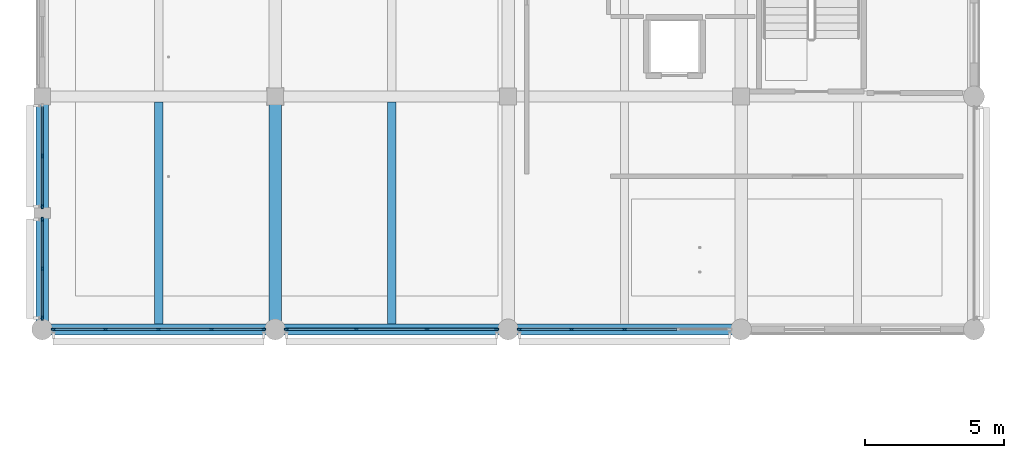
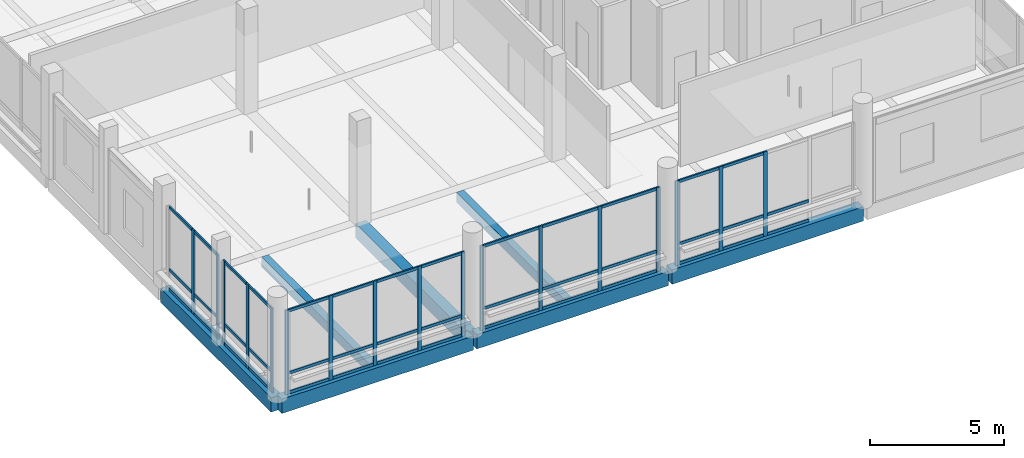
# One storey, part 2 of 122: 58 members, 7 beams, 5 elements without a shape of their own.
"""IFC4 building model written with IfcOpenShell, lengths in metres."""

import ifcopenshell
import ifcopenshell.guid

model = None  # the IFC model being written
_history = None  # IfcOwnerHistory: only IFC2X3 demands one
_inside = {}  # id of a spatial element -> (the spatial element, [elements in it])
_under = {}  # id of a project, library or spatial element -> (it, [spatial elements below it])
_declared = {}  # id of a project -> (the project, [libraries it declares])
_typed = {}  # id of a type object -> (the type object, [elements of that type])
_made_of = {}  # id of a material, layer set ... -> (it, [elements and type objects made of it])


def new_model(schema):
    """Start an empty IFC model of exactly this schema.

    Asked for "IFC4X3", IfcOpenShell would pick the latest addendum, in which some entities
    have other attributes; the version numbers below select the first issue.
    IFC2X3 requires an IfcOwnerHistory on every rooted entity: one is made here for all.
    """
    global model, _history
    if schema == "IFC4X3":
        model = ifcopenshell.file(schema_version=(4, 3, 0, 0))
    else:
        model = ifcopenshell.file(schema=schema)
    _inside.clear()
    _under.clear()
    _declared.clear()
    _typed.clear()
    _made_of.clear()
    _history = None
    if model.schema == "IFC2X3":
        org = make("IfcOrganization", Name="unknown")
        user = make(
            "IfcPersonAndOrganization",
            ThePerson=make("IfcPerson", FamilyName="unknown"),
            TheOrganization=org,
        )
        app = make(
            "IfcApplication",
            ApplicationDeveloper=org,
            Version="unknown",
            ApplicationFullName="unknown",
            ApplicationIdentifier="unknown",
        )
        _history = make(
            "IfcOwnerHistory",
            OwningUser=user,
            OwningApplication=app,
            ChangeAction="ADDED",
            CreationDate=0,
        )
    return model


def make(cls, **values):
    """One entity of the class cls with the attributes given. An attribute that is None is left unset."""
    return model.create_entity(
        cls, **{name: value for name, value in values.items() if value is not None}
    )


def rooted(cls, **values):
    """An entity with a GlobalId (a new one), such as an element, a storey or a relation."""
    return make(cls, GlobalId=ifcopenshell.guid.new(), OwnerHistory=_history, **values)


def si_unit(unit_type, name, prefix=None):
    """IfcSIUnit, for example si_unit("LENGTHUNIT", "METRE", prefix="MILLI")."""
    return make("IfcSIUnit", UnitType=unit_type, Prefix=prefix, Name=name)


def assignment(units):
    """IfcUnitAssignment: the units of a project."""
    return None if units is None else make("IfcUnitAssignment", Units=units)


def point(xyz):
    """IfcCartesianPoint."""
    return None if xyz is None else make("IfcCartesianPoint", Coordinates=xyz)


def direction(xyz):
    """IfcDirection."""
    return None if xyz is None else make("IfcDirection", DirectionRatios=xyz)


def frame(location, z_axis=None, x_axis=None):
    """IfcAxis2Placement3D, a coordinate frame: its origin and axes. An axis left out is left unset."""
    return make(
        "IfcAxis2Placement3D",
        Location=point(location),
        Axis=direction(z_axis),
        RefDirection=direction(x_axis),
    )


def frame_2d(location, x_axis=None):
    """IfcAxis2Placement2D, a coordinate frame in the plane: its origin and x axis."""
    return make(
        "IfcAxis2Placement2D", Location=point(location), RefDirection=direction(x_axis)
    )


def origin():
    """The frame at (0, 0, 0) with its axes left unset."""
    return frame((0.0, 0.0, 0.0))


def origin_2d():
    """The frame at (0, 0) in the plane with its x axis left unset."""
    return frame_2d((0.0, 0.0))


def place(relative_to, where):
    """IfcLocalPlacement: puts the frame where relative to a parent placement (None: the world)."""
    return make(
        "IfcLocalPlacement", PlacementRelTo=relative_to, RelativePlacement=where
    )


def context(
    kind, dimensions, precision=None, world=None, true_north=None, identifier=None
):
    """IfcGeometricRepresentationContext, for example the 3D "Model" context."""
    return make(
        "IfcGeometricRepresentationContext",
        ContextIdentifier=identifier,
        ContextType=kind,
        CoordinateSpaceDimension=dimensions,
        Precision=precision,
        WorldCoordinateSystem=world,
        TrueNorth=true_north,
    )


def subcontext(parent, identifier, kind, view, scale=None):
    """IfcGeometricRepresentationSubContext, for example "Body" below "Model"."""
    return make(
        "IfcGeometricRepresentationSubContext",
        ContextIdentifier=identifier,
        ContextType=kind,
        ParentContext=parent,
        TargetScale=scale,
        TargetView=view,
    )


def project(units=None, contexts=None):
    """IfcProject with its units and contexts."""
    return rooted(
        "IfcProject",
        Name="project",
        RepresentationContexts=contexts,
        UnitsInContext=assignment(units),
    )


def spatial(cls, under=None, at=None, **own):
    """A site, building, storey or space (cls), placed at a placement, below another one or the project."""
    s = rooted(cls, ObjectPlacement=at, **own)
    if under is not None:
        _under.setdefault(under.id(), (under, []))[1].append(s)
    return s


def profile(cls, at=None, kind="AREA", **sizes):
    """A parametric profile (cls). Its sizes go by their IFC names, for example OverallWidth=200.0."""
    return make(cls, ProfileType=kind, Position=at, **sizes)


def rectangle(**sizes):
    """IfcRectangleProfileDef."""
    return profile("IfcRectangleProfileDef", **sizes)


def extrude(swept, where, along, depth):
    """IfcExtrudedAreaSolid: the profile swept, set in the frame where, extruded along a direction by depth."""
    return make(
        "IfcExtrudedAreaSolid",
        SweptArea=swept,
        Position=where,
        ExtrudedDirection=direction(along),
        Depth=depth,
    )


def shape(context_of_items, identifier, shape_type, items):
    """IfcShapeRepresentation: the items that make up one representation, for example the "Body"."""
    return make(
        "IfcShapeRepresentation",
        ContextOfItems=context_of_items,
        RepresentationIdentifier=identifier,
        RepresentationType=shape_type,
        Items=items,
    )


def material(Name=None, Category=None):
    """IfcMaterial."""
    return make("IfcMaterial", Name=Name, Category=Category)


def layer(
    of_material, thickness, ventilated=None, Name=None, Category=None, Priority=None
):
    """IfcMaterialLayer: one layer of a wall or slab, of a material (None: an air gap)."""
    return make(
        "IfcMaterialLayer",
        Material=of_material,
        LayerThickness=thickness,
        IsVentilated=ventilated,
        Name=Name,
        Category=Category,
        Priority=Priority,
    )


def layer_set(layers, Name=None):
    """IfcMaterialLayerSet."""
    return make("IfcMaterialLayerSet", MaterialLayers=layers, LayerSetName=Name)


def material_profile(
    of_material, cross_section, Name=None, Category=None, Priority=None
):
    """IfcMaterialProfile: a cross section and its material."""
    return make(
        "IfcMaterialProfile",
        Name=Name,
        Material=of_material,
        Profile=cross_section,
        Priority=Priority,
        Category=Category,
    )


def profile_set(profiles, Name=None, composite=None):
    """IfcMaterialProfileSet."""
    return make(
        "IfcMaterialProfileSet",
        Name=Name,
        MaterialProfiles=profiles,
        CompositeProfile=composite,
    )


def made_of(thing, what):
    """Note that an element or type object is made of a material, layer set ...; save() writes the relation."""
    if what is not None:
        _made_of.setdefault(what.id(), (what, []))[1].append(thing)
    return thing


def type_object(cls, material=None, **own):
    """A type object (cls), such as IfcWallType, which elements share."""
    return made_of(rooted(cls, **own), material)


def element(
    cls,
    number,
    at=None,
    inside=None,
    cuts=None,
    type_object=None,
    material=None,
    context=None,
    identifier="Body",
    shape_type=None,
    held_by="IfcProductDefinitionShape",
    body=None,
    shapes=None,
    **own,
):
    """One element of the class cls, such as IfcWall. Its Tag is "e" and its number.

    at: its placement. inside: the storey or other place that contains it. cuts: it is an
    opening in that element (IfcRelVoidsElement). A single representation is given by context,
    identifier, shape_type and body (its items); several are given by shapes. held_by: the class
    of the entity that holds the representations. save() writes the other relations.
    """
    e = rooted(cls, Tag="e%d" % number, ObjectPlacement=at, **own)
    if body is not None:
        shapes = [shape(context, identifier, shape_type, body)]
    if shapes is not None:
        e.Representation = make(held_by, Representations=shapes)
    if inside is not None:
        _inside.setdefault(inside.id(), (inside, []))[1].append(e)
    if cuts is not None:
        rooted(
            "IfcRelVoidsElement", RelatingBuildingElement=cuts, RelatedOpeningElement=e
        )
    if type_object is not None:
        _typed.setdefault(type_object.id(), (type_object, []))[1].append(e)
    return made_of(e, material)


def aggregate(whole, parts):
    """IfcRelAggregates: a whole, such as a stair, and the parts it consists of."""
    return rooted("IfcRelAggregates", RelatingObject=whole, RelatedObjects=parts)


def save(model, path):
    """Write the relations noted so far, then the file.

    IfcRelAggregates (storeys below a building ...), IfcRelContainedInSpatialStructure (elements
    in a storey), IfcRelDefinesByType, IfcRelAssociatesMaterial and IfcRelDeclares: one each for
    every whole, place, type object, material and project.
    """
    for whole, parts in _under.values():
        aggregate(whole, parts)
    for where, things in _inside.values():
        rooted(
            "IfcRelContainedInSpatialStructure",
            RelatedElements=things,
            RelatingStructure=where,
        )
    for kind, things in _typed.values():
        rooted("IfcRelDefinesByType", RelatedObjects=things, RelatingType=kind)
    for what, things in _made_of.values():
        rooted("IfcRelAssociatesMaterial", RelatedObjects=things, RelatingMaterial=what)
    for by, libraries in _declared.values():
        rooted("IfcRelDeclares", RelatingContext=by, RelatedDefinitions=libraries)
    model.write(path)


model = new_model("IFC4")

# Units and contexts
model_context = context("Model", 3, precision=1e-05, world=origin(), true_north=direction((0.0, 1.0)))
body_context = subcontext(model_context, "Body", "Model", "MODEL_VIEW")
ifc_project = project(units=[si_unit("LENGTHUNIT", "METRE"), si_unit("AREAUNIT", "SQUARE_METRE"), si_unit("VOLUMEUNIT", "CUBIC_METRE"), si_unit("PLANEANGLEUNIT", "RADIAN"), si_unit("MASSUNIT", "GRAM", prefix="KILO")], contexts=[model_context])

# Site, building, storey
site_placement = place(None, origin())
site = spatial("IfcSite", under=ifc_project, at=site_placement, CompositionType="ELEMENT")
building_placement = place(site_placement, origin())
building = spatial("IfcBuilding", under=site, at=building_placement, Name="Telukmera Botanical Conservatory", CompositionType="ELEMENT")
storey_placement = place(building_placement, frame((0.0, 0.0, 10.199951171875)))
storey = spatial("IfcBuildingStorey", under=building, at=storey_placement, Name="L02", CompositionType="ELEMENT", Elevation=10.199951171875)

# Beams
ifc_material_1 = material(Name="Concrete C40/50", Category="concrete")
ifc_material_profile_1 = material_profile(ifc_material_1, rectangle(XDim=0.449951171875, YDim=0.64990234375, at=origin_2d()), Name="RC 450x650")
ifc_profile_set_1 = profile_set([ifc_material_profile_1], Name="Concrete C40/50")
beam_type_1 = type_object("IfcBeamType", Name="Beam_B16", PredefinedType="BEAM", material=ifc_profile_set_1)
for number, where, z_axis, x_axis, name in (
    (1, (8.39990234375, 17.679931640625, -0.324951171875), (0.0, 1.0, 0.0), (-1.0, 0.0, 0.0), "Visitor Wing Transverse Beam L02"),
    (2, (16.800048828125, 17.679931640625, -0.324951171875), (0.0, 1.0, 0.0), (-1.0, 0.0, 0.0), "Visitor Wing Transverse Beam L02"),
):
    element("IfcBeam", number, at=place(storey_placement, frame(where, z_axis=z_axis, x_axis=x_axis)), inside=storey, type_object=beam_type_1, Name=name, PredefinedType="BEAM", context=body_context, shape_type="SweptSolid", body=[
        extrude(rectangle(XDim=0.449951171875, YDim=0.64990234375, at=origin_2d()), origin(), (0.0, 0.0, 1.0), 8.239990234375),
    ])
ifc_material_profile_2 = material_profile(ifc_material_1, rectangle(XDim=0.300048828125, YDim=0.449951171875, at=origin_2d()), Name="RC 300x450")
ifc_profile_set_2 = profile_set([ifc_material_profile_2], Name="Concrete C40/50")
beam_type_2 = type_object("IfcBeamType", Name="Beam_B25", PredefinedType="JOIST", material=ifc_profile_set_2)
for number, where, z_axis, x_axis, name in (
    (3, (12.60009765625, 17.800048828125, -0.224853515625), (0.0, 1.0, 0.0), (-1.0, 0.0, 0.0), "Visitor Wing Floor Joist L02"),
    (4, (21.0, 17.800048828125, -0.224853515625), (0.0, 1.0, 0.0), (-1.0, 0.0, 0.0), "Visitor Wing Floor Joist L02"),
):
    element("IfcBeam", number, at=place(storey_placement, frame(where, z_axis=z_axis, x_axis=x_axis)), inside=storey, type_object=beam_type_2, Name=name, PredefinedType="JOIST", context=body_context, shape_type="SweptSolid", body=[
        extrude(rectangle(XDim=0.300048828125, YDim=0.449951171875, at=origin_2d()), origin(), (0.0, 0.0, 1.0), 8.0),
    ])
ifc_material_profile_3 = material_profile(ifc_material_1, rectangle(XDim=0.39990234375, YDim=0.64990234375, at=origin_2d()), Name="RC 400x650")
ifc_profile_set_3 = profile_set([ifc_material_profile_3], Name="Concrete C40/50")
beam_type_3 = type_object("IfcBeamType", Name="Beam_B8", PredefinedType="BEAM", material=ifc_profile_set_3)
beam_1_placement = place(storey_placement, frame((8.47998046875, 17.60009765625, -0.324951171875), z_axis=(1.0, 0.0, 0.0), x_axis=(0.0, 1.0, 0.0)))
element("IfcBeam", 5, at=beam_1_placement, inside=storey, type_object=beam_type_3, Name="Visitor Wing Grid Beam L02", PredefinedType="BEAM", context=body_context, shape_type="SweptSolid", body=[
    extrude(rectangle(XDim=0.39990234375, YDim=0.64990234375, at=origin_2d()), origin(), (0.0, 0.0, 1.0), 8.239990234375),
])
beam_2_placement = place(storey_placement, frame((16.8798828125, 17.60009765625, -0.324951171875), z_axis=(1.0, 0.0, 0.0), x_axis=(0.0, 1.0, 0.0)))
element("IfcBeam", 6, at=beam_2_placement, inside=storey, type_object=beam_type_3, Name="Visitor Wing Grid Beam L02", PredefinedType="BEAM", context=body_context, shape_type="SweptSolid", body=[
    extrude(rectangle(XDim=0.39990234375, YDim=0.64990234375, at=origin_2d()), origin(), (0.0, 0.0, 1.0), 8.240234375),
])
beam_3_placement = place(storey_placement, frame((25.280029296875, 17.60009765625, -0.324951171875), z_axis=(1.0, 0.0, 0.0), x_axis=(0.0, 1.0, 0.0)))
element("IfcBeam", 7, at=beam_3_placement, inside=storey, type_object=beam_type_3, Name="Visitor Wing Grid Beam L02", PredefinedType="BEAM", context=body_context, shape_type="SweptSolid", body=[
    extrude(rectangle(XDim=0.39990234375, YDim=0.64990234375, at=origin_2d()), origin(), (0.0, 0.0, 1.0), 8.239990234375),
])

# Curtain wall, members
ifc_material_2 = material(Name="Anodised aluminium 6063-T6", Category="aluminium")
ifc_layer_1 = layer(ifc_material_2, 0.179931640625)
ifc_layer_set_1 = layer_set([ifc_layer_1], Name="Anodised aluminium 6063-T6")
curtain_wall_type_1 = type_object("IfcCurtainWallType", Name="Visitor Gallery First Floor Curtain Wall 1800 Mod", PredefinedType="USERDEFINED", material=ifc_layer_set_1)
curtain_wall_1_placement = place(storey_placement, origin())
curtain_wall_1 = element("IfcCurtainWall", 8, at=curtain_wall_1_placement, inside=storey, type_object=curtain_wall_type_1, Name="Unitised Curtain Wall CW08 V3:L02:S1", ObjectType="UNITISED CURTAIN WALL", PredefinedType="USERDEFINED")
ifc_material_profile_4 = material_profile(ifc_material_2, rectangle(XDim=0.06494140625, YDim=0.159912109375, at=origin_2d()), Name="ALU MULL 65x160")
ifc_profile_set_4 = profile_set([ifc_material_profile_4], Name="Anodised aluminium 6063-T6")
member_type_1 = type_object("IfcMemberType", Name="Curtain Wall Extruded Mullion 65x160", PredefinedType="MULLION", material=ifc_profile_set_4)
member_1_placement = place(storey_placement, frame((8.8095703125, 17.60009765625, 0.0), z_axis=(0.0, 0.0, 1.0), x_axis=(0.0, 1.0, 0.0)))
member_1 = element("IfcMember", 9, at=member_1_placement, type_object=member_type_1, Name="CW08 mullion 1", PredefinedType="MULLION", context=body_context, shape_type="SweptSolid", body=[
    extrude(rectangle(XDim=0.06494140625, YDim=0.159912109375, at=origin_2d()), origin(), (0.0, 0.0, 1.0), 3.85009765625),
])
member_2_placement = place(storey_placement, frame((10.6884765625, 17.60009765625, 0.0), z_axis=(0.0, 0.0, 1.0), x_axis=(0.0, 1.0, 0.0)))
member_2 = element("IfcMember", 10, at=member_2_placement, type_object=member_type_1, Name="CW08 mullion 2", PredefinedType="MULLION", context=body_context, shape_type="SweptSolid", body=[
    extrude(rectangle(XDim=0.06494140625, YDim=0.159912109375, at=origin_2d()), origin(), (0.0, 0.0, 1.0), 3.85009765625),
])
member_3_placement = place(storey_placement, frame((12.60009765625, 17.60009765625, 0.0), z_axis=(0.0, 0.0, 1.0), x_axis=(0.0, 1.0, 0.0)))
member_3 = element("IfcMember", 11, at=member_3_placement, type_object=member_type_1, Name="CW08 mullion 3", PredefinedType="MULLION", context=body_context, shape_type="SweptSolid", body=[
    extrude(rectangle(XDim=0.06494140625, YDim=0.159912109375, at=origin_2d()), origin(), (0.0, 0.0, 1.0), 3.85009765625),
])
member_4_placement = place(storey_placement, frame((14.511474609375, 17.60009765625, 0.0), z_axis=(0.0, 0.0, 1.0), x_axis=(0.0, 1.0, 0.0)))
member_4 = element("IfcMember", 12, at=member_4_placement, type_object=member_type_1, Name="CW08 mullion 4", PredefinedType="MULLION", context=body_context, shape_type="SweptSolid", body=[
    extrude(rectangle(XDim=0.06494140625, YDim=0.159912109375, at=origin_2d()), origin(), (0.0, 0.0, 1.0), 3.85009765625),
])
member_5_placement = place(storey_placement, frame((16.390380859375, 17.60009765625, 0.0), z_axis=(0.0, 0.0, 1.0), x_axis=(0.0, 1.0, 0.0)))
member_5 = element("IfcMember", 13, at=member_5_placement, type_object=member_type_1, Name="CW08 mullion 5", PredefinedType="MULLION", context=body_context, shape_type="SweptSolid", body=[
    extrude(rectangle(XDim=0.06494140625, YDim=0.159912109375, at=origin_2d()), origin(), (0.0, 0.0, 1.0), 3.85009765625),
])

ifc_layer_2 = layer(ifc_material_2, 0.179931640625)
ifc_layer_set_2 = layer_set([ifc_layer_2], Name="Anodised aluminium 6063-T6")
curtain_wall_type_2 = type_object("IfcCurtainWallType", Name="Visitor Gallery Second Floor Curtain Wall 2400 Mod", PredefinedType="USERDEFINED", material=ifc_layer_set_2)
curtain_wall_2_placement = place(storey_placement, origin())
curtain_wall_2 = element("IfcCurtainWall", 14, at=curtain_wall_2_placement, inside=storey, type_object=curtain_wall_type_2, Name="Unitised Curtain Wall CW09 V3:L02:S2", ObjectType="UNITISED CURTAIN WALL", PredefinedType="USERDEFINED")
member_6_placement = place(storey_placement, frame((17.20947265625, 17.60009765625, 0.0), z_axis=(0.0, 0.0, 1.0), x_axis=(0.0, 1.0, 0.0)))
member_6 = element("IfcMember", 15, at=member_6_placement, type_object=member_type_1, Name="CW09 mullion 1", PredefinedType="MULLION", context=body_context, shape_type="SweptSolid", body=[
    extrude(rectangle(XDim=0.06494140625, YDim=0.159912109375, at=origin_2d()), origin(), (0.0, 0.0, 1.0), 3.85009765625),
])
member_7_placement = place(storey_placement, frame((19.7255859375, 17.60009765625, 0.0), z_axis=(0.0, 0.0, 1.0), x_axis=(0.0, 1.0, 0.0)))
member_7 = element("IfcMember", 16, at=member_7_placement, type_object=member_type_1, Name="CW09 mullion 2", PredefinedType="MULLION", context=body_context, shape_type="SweptSolid", body=[
    extrude(rectangle(XDim=0.06494140625, YDim=0.159912109375, at=origin_2d()), origin(), (0.0, 0.0, 1.0), 3.85009765625),
])
member_8_placement = place(storey_placement, frame((22.2744140625, 17.60009765625, 0.0), z_axis=(0.0, 0.0, 1.0), x_axis=(0.0, 1.0, 0.0)))
member_8 = element("IfcMember", 17, at=member_8_placement, type_object=member_type_1, Name="CW09 mullion 3", PredefinedType="MULLION", context=body_context, shape_type="SweptSolid", body=[
    extrude(rectangle(XDim=0.06494140625, YDim=0.159912109375, at=origin_2d()), origin(), (0.0, 0.0, 1.0), 3.85009765625),
])
member_9_placement = place(storey_placement, frame((24.79052734375, 17.60009765625, 0.0), z_axis=(0.0, 0.0, 1.0), x_axis=(0.0, 1.0, 0.0)))
member_9 = element("IfcMember", 18, at=member_9_placement, type_object=member_type_1, Name="CW09 mullion 4", PredefinedType="MULLION", context=body_context, shape_type="SweptSolid", body=[
    extrude(rectangle(XDim=0.06494140625, YDim=0.159912109375, at=origin_2d()), origin(), (0.0, 0.0, 1.0), 3.85009765625),
])

curtain_wall_3_placement = place(storey_placement, origin())
curtain_wall_3 = element("IfcCurtainWall", 19, at=curtain_wall_3_placement, inside=storey, type_object=curtain_wall_type_1, Name="Unitised Curtain Wall CW08 V3:L02:S3", ObjectType="UNITISED CURTAIN WALL", PredefinedType="USERDEFINED")
member_10_placement = place(storey_placement, frame((25.609619140625, 17.60009765625, 0.0), z_axis=(0.0, 0.0, 1.0), x_axis=(0.0, 1.0, 0.0)))
member_10 = element("IfcMember", 20, at=member_10_placement, type_object=member_type_1, Name="CW08 mullion 1", PredefinedType="MULLION", context=body_context, shape_type="SweptSolid", body=[
    extrude(rectangle(XDim=0.06494140625, YDim=0.159912109375, at=origin_2d()), origin(), (0.0, 0.0, 1.0), 3.85009765625),
])
member_11_placement = place(storey_placement, frame((27.488525390625, 17.60009765625, 0.0), z_axis=(0.0, 0.0, 1.0), x_axis=(0.0, 1.0, 0.0)))
member_11 = element("IfcMember", 21, at=member_11_placement, type_object=member_type_1, Name="CW08 mullion 2", PredefinedType="MULLION", context=body_context, shape_type="SweptSolid", body=[
    extrude(rectangle(XDim=0.06494140625, YDim=0.159912109375, at=origin_2d()), origin(), (0.0, 0.0, 1.0), 3.85009765625),
])
member_12_placement = place(storey_placement, frame((29.39990234375, 17.60009765625, 0.0), z_axis=(0.0, 0.0, 1.0), x_axis=(0.0, 1.0, 0.0)))
member_12 = element("IfcMember", 22, at=member_12_placement, type_object=member_type_1, Name="CW08 mullion 3", PredefinedType="MULLION", context=body_context, shape_type="SweptSolid", body=[
    extrude(rectangle(XDim=0.06494140625, YDim=0.159912109375, at=origin_2d()), origin(), (0.0, 0.0, 1.0), 3.85009765625),
])

curtain_wall_4_placement = place(storey_placement, origin())
curtain_wall_4 = element("IfcCurtainWall", 23, at=curtain_wall_4_placement, inside=storey, type_object=curtain_wall_type_1, Name="Unitised Curtain Wall CW08 V3:L02:W1A", ObjectType="UNITISED CURTAIN WALL", PredefinedType="USERDEFINED")
member_13_placement = place(storey_placement, frame((8.39990234375, 18.009521484375, 0.0), z_axis=(0.0, 0.0, 1.0), x_axis=(-1.0, 0.0, 0.0)))
member_13 = element("IfcMember", 24, at=member_13_placement, type_object=member_type_1, Name="CW08 mullion 1", PredefinedType="MULLION", context=body_context, shape_type="SweptSolid", body=[
    extrude(rectangle(XDim=0.06494140625, YDim=0.159912109375, at=origin_2d()), origin(), (0.0, 0.0, 1.0), 3.85009765625),
])
member_14_placement = place(storey_placement, frame((8.39990234375, 19.78759765625, 0.0), z_axis=(0.0, 0.0, 1.0), x_axis=(-1.0, 0.0, 0.0)))
member_14 = element("IfcMember", 25, at=member_14_placement, type_object=member_type_1, Name="CW08 mullion 2", PredefinedType="MULLION", context=body_context, shape_type="SweptSolid", body=[
    extrude(rectangle(XDim=0.06494140625, YDim=0.159912109375, at=origin_2d()), origin(), (0.0, 0.0, 1.0), 3.85009765625),
])
member_15_placement = place(storey_placement, frame((8.39990234375, 21.5654296875, 0.0), z_axis=(0.0, 0.0, 1.0), x_axis=(-1.0, 0.0, 0.0)))
member_15 = element("IfcMember", 26, at=member_15_placement, type_object=member_type_1, Name="CW08 mullion 3", PredefinedType="MULLION", context=body_context, shape_type="SweptSolid", body=[
    extrude(rectangle(XDim=0.06494140625, YDim=0.159912109375, at=origin_2d()), origin(), (0.0, 0.0, 1.0), 3.85009765625),
])

curtain_wall_5_placement = place(storey_placement, origin())
curtain_wall_5 = element("IfcCurtainWall", 27, at=curtain_wall_5_placement, inside=storey, type_object=curtain_wall_type_1, Name="Unitised Curtain Wall CW08 V3:L02:W1B", ObjectType="UNITISED CURTAIN WALL", PredefinedType="USERDEFINED")
member_16_placement = place(storey_placement, frame((8.39990234375, 22.034423828125, 0.0), z_axis=(0.0, 0.0, 1.0), x_axis=(-1.0, 0.0, 0.0)))
member_16 = element("IfcMember", 28, at=member_16_placement, type_object=member_type_1, Name="CW08 mullion 1", PredefinedType="MULLION", context=body_context, shape_type="SweptSolid", body=[
    extrude(rectangle(XDim=0.06494140625, YDim=0.159912109375, at=origin_2d()), origin(), (0.0, 0.0, 1.0), 3.85009765625),
])
member_17_placement = place(storey_placement, frame((8.39990234375, 23.85009765625, 0.0), z_axis=(0.0, 0.0, 1.0), x_axis=(-1.0, 0.0, 0.0)))
member_17 = element("IfcMember", 29, at=member_17_placement, type_object=member_type_1, Name="CW08 mullion 2", PredefinedType="MULLION", context=body_context, shape_type="SweptSolid", body=[
    extrude(rectangle(XDim=0.06494140625, YDim=0.159912109375, at=origin_2d()), origin(), (0.0, 0.0, 1.0), 3.85009765625),
])

# Member
ifc_material_profile_5 = material_profile(ifc_material_2, rectangle(XDim=0.06494140625, YDim=0.1298828125, at=origin_2d()), Name="ALU TRAN 65x130")
ifc_profile_set_5 = profile_set([ifc_material_profile_5], Name="Anodised aluminium 6063-T6")
member_type_2 = type_object("IfcMemberType", Name="Curtain Wall Extruded Transom 65x130", PredefinedType="USERDEFINED", material=ifc_profile_set_5)
member_18_placement = place(storey_placement, frame((8.842041015625, 17.60009765625, 0.06494140625), z_axis=(1.0, 0.0, 0.0), x_axis=(0.0, 1.0, 0.0)))
member_18 = element("IfcMember", 30, at=member_18_placement, type_object=member_type_2, Name="CW08 transom 1.1", ObjectType="TRANSOM", PredefinedType="USERDEFINED", context=body_context, shape_type="SweptSolid", body=[
    extrude(rectangle(XDim=0.06494140625, YDim=0.1298828125, at=origin_2d()), origin(), (0.0, 0.0, 1.0), 1.81396484375),
])

member_19_placement = place(storey_placement, frame((8.842041015625, 17.60009765625, 0.949951171875), z_axis=(1.0, 0.0, 0.0), x_axis=(0.0, 1.0, 0.0)))
member_19 = element("IfcMember", 31, at=member_19_placement, type_object=member_type_2, Name="CW08 transom 1.2", ObjectType="TRANSOM", PredefinedType="USERDEFINED", context=body_context, shape_type="SweptSolid", body=[
    extrude(rectangle(XDim=0.06494140625, YDim=0.1298828125, at=origin_2d()), origin(), (0.0, 0.0, 1.0), 1.81396484375),
])

member_20_placement = place(storey_placement, frame((8.842041015625, 17.60009765625, 3.78515625), z_axis=(1.0, 0.0, 0.0), x_axis=(0.0, 1.0, 0.0)))
member_20 = element("IfcMember", 32, at=member_20_placement, type_object=member_type_2, Name="CW08 transom 1.3", ObjectType="TRANSOM", PredefinedType="USERDEFINED", context=body_context, shape_type="SweptSolid", body=[
    extrude(rectangle(XDim=0.06494140625, YDim=0.1298828125, at=origin_2d()), origin(), (0.0, 0.0, 1.0), 1.81396484375),
])

member_21_placement = place(storey_placement, frame((10.720947265625, 17.60009765625, 0.06494140625), z_axis=(1.0, 0.0, 0.0), x_axis=(0.0, 1.0, 0.0)))
member_21 = element("IfcMember", 33, at=member_21_placement, type_object=member_type_2, Name="CW08 transom 2.1", ObjectType="TRANSOM", PredefinedType="USERDEFINED", context=body_context, shape_type="SweptSolid", body=[
    extrude(rectangle(XDim=0.06494140625, YDim=0.1298828125, at=origin_2d()), origin(), (0.0, 0.0, 1.0), 1.846435546875),
])

member_22_placement = place(storey_placement, frame((10.720947265625, 17.60009765625, 0.949951171875), z_axis=(1.0, 0.0, 0.0), x_axis=(0.0, 1.0, 0.0)))
member_22 = element("IfcMember", 34, at=member_22_placement, type_object=member_type_2, Name="CW08 transom 2.2", ObjectType="TRANSOM", PredefinedType="USERDEFINED", context=body_context, shape_type="SweptSolid", body=[
    extrude(rectangle(XDim=0.06494140625, YDim=0.1298828125, at=origin_2d()), origin(), (0.0, 0.0, 1.0), 1.846435546875),
])

member_23_placement = place(storey_placement, frame((10.720947265625, 17.60009765625, 3.78515625), z_axis=(1.0, 0.0, 0.0), x_axis=(0.0, 1.0, 0.0)))
member_23 = element("IfcMember", 35, at=member_23_placement, type_object=member_type_2, Name="CW08 transom 2.3", ObjectType="TRANSOM", PredefinedType="USERDEFINED", context=body_context, shape_type="SweptSolid", body=[
    extrude(rectangle(XDim=0.06494140625, YDim=0.1298828125, at=origin_2d()), origin(), (0.0, 0.0, 1.0), 1.846435546875),
])

member_24_placement = place(storey_placement, frame((12.632568359375, 17.60009765625, 0.06494140625), z_axis=(1.0, 0.0, 0.0), x_axis=(0.0, 1.0, 0.0)))
member_24 = element("IfcMember", 36, at=member_24_placement, type_object=member_type_2, Name="CW08 transom 3.1", ObjectType="TRANSOM", PredefinedType="USERDEFINED", context=body_context, shape_type="SweptSolid", body=[
    extrude(rectangle(XDim=0.06494140625, YDim=0.1298828125, at=origin_2d()), origin(), (0.0, 0.0, 1.0), 1.846435546875),
])

member_25_placement = place(storey_placement, frame((12.632568359375, 17.60009765625, 0.949951171875), z_axis=(1.0, 0.0, 0.0), x_axis=(0.0, 1.0, 0.0)))
member_25 = element("IfcMember", 37, at=member_25_placement, type_object=member_type_2, Name="CW08 transom 3.2", ObjectType="TRANSOM", PredefinedType="USERDEFINED", context=body_context, shape_type="SweptSolid", body=[
    extrude(rectangle(XDim=0.06494140625, YDim=0.1298828125, at=origin_2d()), origin(), (0.0, 0.0, 1.0), 1.846435546875),
])

member_26_placement = place(storey_placement, frame((12.632568359375, 17.60009765625, 3.78515625), z_axis=(1.0, 0.0, 0.0), x_axis=(0.0, 1.0, 0.0)))
member_26 = element("IfcMember", 38, at=member_26_placement, type_object=member_type_2, Name="CW08 transom 3.3", ObjectType="TRANSOM", PredefinedType="USERDEFINED", context=body_context, shape_type="SweptSolid", body=[
    extrude(rectangle(XDim=0.06494140625, YDim=0.1298828125, at=origin_2d()), origin(), (0.0, 0.0, 1.0), 1.846435546875),
])

member_27_placement = place(storey_placement, frame((14.5439453125, 17.60009765625, 0.06494140625), z_axis=(1.0, 0.0, 0.0), x_axis=(0.0, 1.0, 0.0)))
member_27 = element("IfcMember", 39, at=member_27_placement, type_object=member_type_2, Name="CW08 transom 4.1", ObjectType="TRANSOM", PredefinedType="USERDEFINED", context=body_context, shape_type="SweptSolid", body=[
    extrude(rectangle(XDim=0.06494140625, YDim=0.1298828125, at=origin_2d()), origin(), (0.0, 0.0, 1.0), 1.81396484375),
])

member_28_placement = place(storey_placement, frame((14.5439453125, 17.60009765625, 0.949951171875), z_axis=(1.0, 0.0, 0.0), x_axis=(0.0, 1.0, 0.0)))
member_28 = element("IfcMember", 40, at=member_28_placement, type_object=member_type_2, Name="CW08 transom 4.2", ObjectType="TRANSOM", PredefinedType="USERDEFINED", context=body_context, shape_type="SweptSolid", body=[
    extrude(rectangle(XDim=0.06494140625, YDim=0.1298828125, at=origin_2d()), origin(), (0.0, 0.0, 1.0), 1.81396484375),
])

member_29_placement = place(storey_placement, frame((14.5439453125, 17.60009765625, 3.78515625), z_axis=(1.0, 0.0, 0.0), x_axis=(0.0, 1.0, 0.0)))
member_29 = element("IfcMember", 41, at=member_29_placement, type_object=member_type_2, Name="CW08 transom 4.3", ObjectType="TRANSOM", PredefinedType="USERDEFINED", context=body_context, shape_type="SweptSolid", body=[
    extrude(rectangle(XDim=0.06494140625, YDim=0.1298828125, at=origin_2d()), origin(), (0.0, 0.0, 1.0), 1.81396484375),
])

aggregate(curtain_wall_1, [member_1, member_2, member_3, member_4, member_5, member_18, member_19, member_20, member_21, member_22, member_23, member_24, member_25, member_26, member_27, member_28, member_29])

member_30_placement = place(storey_placement, frame((17.241943359375, 17.60009765625, 0.06494140625), z_axis=(1.0, 0.0, 0.0), x_axis=(0.0, 1.0, 0.0)))
member_30 = element("IfcMember", 42, at=member_30_placement, type_object=member_type_2, Name="CW09 transom 1.1", ObjectType="TRANSOM", PredefinedType="USERDEFINED", context=body_context, shape_type="SweptSolid", body=[
    extrude(rectangle(XDim=0.06494140625, YDim=0.1298828125, at=origin_2d()), origin(), (0.0, 0.0, 1.0), 2.451171875),
])

member_31_placement = place(storey_placement, frame((17.241943359375, 17.60009765625, 0.949951171875), z_axis=(1.0, 0.0, 0.0), x_axis=(0.0, 1.0, 0.0)))
member_31 = element("IfcMember", 43, at=member_31_placement, type_object=member_type_2, Name="CW09 transom 1.2", ObjectType="TRANSOM", PredefinedType="USERDEFINED", context=body_context, shape_type="SweptSolid", body=[
    extrude(rectangle(XDim=0.06494140625, YDim=0.1298828125, at=origin_2d()), origin(), (0.0, 0.0, 1.0), 2.451171875),
])

member_32_placement = place(storey_placement, frame((17.241943359375, 17.60009765625, 3.78515625), z_axis=(1.0, 0.0, 0.0), x_axis=(0.0, 1.0, 0.0)))
member_32 = element("IfcMember", 44, at=member_32_placement, type_object=member_type_2, Name="CW09 transom 1.3", ObjectType="TRANSOM", PredefinedType="USERDEFINED", context=body_context, shape_type="SweptSolid", body=[
    extrude(rectangle(XDim=0.06494140625, YDim=0.1298828125, at=origin_2d()), origin(), (0.0, 0.0, 1.0), 2.451171875),
])

member_33_placement = place(storey_placement, frame((19.758056640625, 17.60009765625, 0.06494140625), z_axis=(1.0, 0.0, 0.0), x_axis=(0.0, 1.0, 0.0)))
member_33 = element("IfcMember", 45, at=member_33_placement, type_object=member_type_2, Name="CW09 transom 2.1", ObjectType="TRANSOM", PredefinedType="USERDEFINED", context=body_context, shape_type="SweptSolid", body=[
    extrude(rectangle(XDim=0.06494140625, YDim=0.1298828125, at=origin_2d()), origin(), (0.0, 0.0, 1.0), 2.48388671875),
])

member_34_placement = place(storey_placement, frame((19.758056640625, 17.60009765625, 0.949951171875), z_axis=(1.0, 0.0, 0.0), x_axis=(0.0, 1.0, 0.0)))
member_34 = element("IfcMember", 46, at=member_34_placement, type_object=member_type_2, Name="CW09 transom 2.2", ObjectType="TRANSOM", PredefinedType="USERDEFINED", context=body_context, shape_type="SweptSolid", body=[
    extrude(rectangle(XDim=0.06494140625, YDim=0.1298828125, at=origin_2d()), origin(), (0.0, 0.0, 1.0), 2.48388671875),
])

member_35_placement = place(storey_placement, frame((19.758056640625, 17.60009765625, 3.78515625), z_axis=(1.0, 0.0, 0.0), x_axis=(0.0, 1.0, 0.0)))
member_35 = element("IfcMember", 47, at=member_35_placement, type_object=member_type_2, Name="CW09 transom 2.3", ObjectType="TRANSOM", PredefinedType="USERDEFINED", context=body_context, shape_type="SweptSolid", body=[
    extrude(rectangle(XDim=0.06494140625, YDim=0.1298828125, at=origin_2d()), origin(), (0.0, 0.0, 1.0), 2.48388671875),
])

member_36_placement = place(storey_placement, frame((22.306884765625, 17.60009765625, 0.06494140625), z_axis=(1.0, 0.0, 0.0), x_axis=(0.0, 1.0, 0.0)))
member_36 = element("IfcMember", 48, at=member_36_placement, type_object=member_type_2, Name="CW09 transom 3.1", ObjectType="TRANSOM", PredefinedType="USERDEFINED", context=body_context, shape_type="SweptSolid", body=[
    extrude(rectangle(XDim=0.06494140625, YDim=0.1298828125, at=origin_2d()), origin(), (0.0, 0.0, 1.0), 2.451171875),
])

member_37_placement = place(storey_placement, frame((22.306884765625, 17.60009765625, 0.949951171875), z_axis=(1.0, 0.0, 0.0), x_axis=(0.0, 1.0, 0.0)))
member_37 = element("IfcMember", 49, at=member_37_placement, type_object=member_type_2, Name="CW09 transom 3.2", ObjectType="TRANSOM", PredefinedType="USERDEFINED", context=body_context, shape_type="SweptSolid", body=[
    extrude(rectangle(XDim=0.06494140625, YDim=0.1298828125, at=origin_2d()), origin(), (0.0, 0.0, 1.0), 2.451171875),
])

member_38_placement = place(storey_placement, frame((22.306884765625, 17.60009765625, 3.78515625), z_axis=(1.0, 0.0, 0.0), x_axis=(0.0, 1.0, 0.0)))
member_38 = element("IfcMember", 50, at=member_38_placement, type_object=member_type_2, Name="CW09 transom 3.3", ObjectType="TRANSOM", PredefinedType="USERDEFINED", context=body_context, shape_type="SweptSolid", body=[
    extrude(rectangle(XDim=0.06494140625, YDim=0.1298828125, at=origin_2d()), origin(), (0.0, 0.0, 1.0), 2.451171875),
])

aggregate(curtain_wall_2, [member_6, member_7, member_8, member_9, member_30, member_31, member_32, member_33, member_34, member_35, member_36, member_37, member_38])

member_39_placement = place(storey_placement, frame((25.64208984375, 17.60009765625, 0.06494140625), z_axis=(1.0, 0.0, 0.0), x_axis=(0.0, 1.0, 0.0)))
member_39 = element("IfcMember", 51, at=member_39_placement, type_object=member_type_2, Name="CW08 transom 1.1", ObjectType="TRANSOM", PredefinedType="USERDEFINED", context=body_context, shape_type="SweptSolid", body=[
    extrude(rectangle(XDim=0.06494140625, YDim=0.1298828125, at=origin_2d()), origin(), (0.0, 0.0, 1.0), 1.81396484375),
])

member_40_placement = place(storey_placement, frame((25.64208984375, 17.60009765625, 0.949951171875), z_axis=(1.0, 0.0, 0.0), x_axis=(0.0, 1.0, 0.0)))
member_40 = element("IfcMember", 52, at=member_40_placement, type_object=member_type_2, Name="CW08 transom 1.2", ObjectType="TRANSOM", PredefinedType="USERDEFINED", context=body_context, shape_type="SweptSolid", body=[
    extrude(rectangle(XDim=0.06494140625, YDim=0.1298828125, at=origin_2d()), origin(), (0.0, 0.0, 1.0), 1.81396484375),
])

member_41_placement = place(storey_placement, frame((25.64208984375, 17.60009765625, 3.78515625), z_axis=(1.0, 0.0, 0.0), x_axis=(0.0, 1.0, 0.0)))
member_41 = element("IfcMember", 53, at=member_41_placement, type_object=member_type_2, Name="CW08 transom 1.3", ObjectType="TRANSOM", PredefinedType="USERDEFINED", context=body_context, shape_type="SweptSolid", body=[
    extrude(rectangle(XDim=0.06494140625, YDim=0.1298828125, at=origin_2d()), origin(), (0.0, 0.0, 1.0), 1.81396484375),
])

member_42_placement = place(storey_placement, frame((27.52099609375, 17.60009765625, 0.06494140625), z_axis=(1.0, 0.0, 0.0), x_axis=(0.0, 1.0, 0.0)))
member_42 = element("IfcMember", 54, at=member_42_placement, type_object=member_type_2, Name="CW08 transom 2.1", ObjectType="TRANSOM", PredefinedType="USERDEFINED", context=body_context, shape_type="SweptSolid", body=[
    extrude(rectangle(XDim=0.06494140625, YDim=0.1298828125, at=origin_2d()), origin(), (0.0, 0.0, 1.0), 1.846435546875),
])

member_43_placement = place(storey_placement, frame((27.52099609375, 17.60009765625, 0.949951171875), z_axis=(1.0, 0.0, 0.0), x_axis=(0.0, 1.0, 0.0)))
member_43 = element("IfcMember", 55, at=member_43_placement, type_object=member_type_2, Name="CW08 transom 2.2", ObjectType="TRANSOM", PredefinedType="USERDEFINED", context=body_context, shape_type="SweptSolid", body=[
    extrude(rectangle(XDim=0.06494140625, YDim=0.1298828125, at=origin_2d()), origin(), (0.0, 0.0, 1.0), 1.846435546875),
])

member_44_placement = place(storey_placement, frame((27.52099609375, 17.60009765625, 3.78515625), z_axis=(1.0, 0.0, 0.0), x_axis=(0.0, 1.0, 0.0)))
member_44 = element("IfcMember", 56, at=member_44_placement, type_object=member_type_2, Name="CW08 transom 2.3", ObjectType="TRANSOM", PredefinedType="USERDEFINED", context=body_context, shape_type="SweptSolid", body=[
    extrude(rectangle(XDim=0.06494140625, YDim=0.1298828125, at=origin_2d()), origin(), (0.0, 0.0, 1.0), 1.846435546875),
])

member_45_placement = place(storey_placement, frame((29.4326171875, 17.60009765625, 0.06494140625), z_axis=(1.0, 0.0, 0.0), x_axis=(0.0, 1.0, 0.0)))
member_45 = element("IfcMember", 57, at=member_45_placement, type_object=member_type_2, Name="CW08 transom 3.1", ObjectType="TRANSOM", PredefinedType="USERDEFINED", context=body_context, shape_type="SweptSolid", body=[
    extrude(rectangle(XDim=0.06494140625, YDim=0.1298828125, at=origin_2d()), origin(), (0.0, 0.0, 1.0), 1.846435546875),
])

member_46_placement = place(storey_placement, frame((29.4326171875, 17.60009765625, 0.949951171875), z_axis=(1.0, 0.0, 0.0), x_axis=(0.0, 1.0, 0.0)))
member_46 = element("IfcMember", 58, at=member_46_placement, type_object=member_type_2, Name="CW08 transom 3.2", ObjectType="TRANSOM", PredefinedType="USERDEFINED", context=body_context, shape_type="SweptSolid", body=[
    extrude(rectangle(XDim=0.06494140625, YDim=0.1298828125, at=origin_2d()), origin(), (0.0, 0.0, 1.0), 1.846435546875),
])

aggregate(curtain_wall_3, [member_10, member_11, member_12, member_39, member_40, member_41, member_42, member_43, member_44, member_45, member_46])

member_47_placement = place(storey_placement, frame((8.39990234375, 18.0419921875, 0.06494140625), z_axis=(0.0, 1.0, 0.0), x_axis=(-1.0, 0.0, 0.0)))
member_47 = element("IfcMember", 59, at=member_47_placement, type_object=member_type_2, Name="CW08 transom 1.1", ObjectType="TRANSOM", PredefinedType="USERDEFINED", context=body_context, shape_type="SweptSolid", body=[
    extrude(rectangle(XDim=0.06494140625, YDim=0.1298828125, at=origin_2d()), origin(), (0.0, 0.0, 1.0), 1.712890625),
])

member_48_placement = place(storey_placement, frame((8.39990234375, 18.0419921875, 0.949951171875), z_axis=(0.0, 1.0, 0.0), x_axis=(-1.0, 0.0, 0.0)))
member_48 = element("IfcMember", 60, at=member_48_placement, type_object=member_type_2, Name="CW08 transom 1.2", ObjectType="TRANSOM", PredefinedType="USERDEFINED", context=body_context, shape_type="SweptSolid", body=[
    extrude(rectangle(XDim=0.06494140625, YDim=0.1298828125, at=origin_2d()), origin(), (0.0, 0.0, 1.0), 1.712890625),
])

member_49_placement = place(storey_placement, frame((8.39990234375, 18.0419921875, 3.78515625), z_axis=(0.0, 1.0, 0.0), x_axis=(-1.0, 0.0, 0.0)))
member_49 = element("IfcMember", 61, at=member_49_placement, type_object=member_type_2, Name="CW08 transom 1.3", ObjectType="TRANSOM", PredefinedType="USERDEFINED", context=body_context, shape_type="SweptSolid", body=[
    extrude(rectangle(XDim=0.06494140625, YDim=0.1298828125, at=origin_2d()), origin(), (0.0, 0.0, 1.0), 1.712890625),
])

member_50_placement = place(storey_placement, frame((8.39990234375, 19.820068359375, 0.06494140625), z_axis=(0.0, 1.0, 0.0), x_axis=(-1.0, 0.0, 0.0)))
member_50 = element("IfcMember", 62, at=member_50_placement, type_object=member_type_2, Name="CW08 transom 2.1", ObjectType="TRANSOM", PredefinedType="USERDEFINED", context=body_context, shape_type="SweptSolid", body=[
    extrude(rectangle(XDim=0.06494140625, YDim=0.1298828125, at=origin_2d()), origin(), (0.0, 0.0, 1.0), 1.712890625),
])

member_51_placement = place(storey_placement, frame((8.39990234375, 19.820068359375, 0.949951171875), z_axis=(0.0, 1.0, 0.0), x_axis=(-1.0, 0.0, 0.0)))
member_51 = element("IfcMember", 63, at=member_51_placement, type_object=member_type_2, Name="CW08 transom 2.2", ObjectType="TRANSOM", PredefinedType="USERDEFINED", context=body_context, shape_type="SweptSolid", body=[
    extrude(rectangle(XDim=0.06494140625, YDim=0.1298828125, at=origin_2d()), origin(), (0.0, 0.0, 1.0), 1.712890625),
])

member_52_placement = place(storey_placement, frame((8.39990234375, 19.820068359375, 3.78515625), z_axis=(0.0, 1.0, 0.0), x_axis=(-1.0, 0.0, 0.0)))
member_52 = element("IfcMember", 64, at=member_52_placement, type_object=member_type_2, Name="CW08 transom 2.3", ObjectType="TRANSOM", PredefinedType="USERDEFINED", context=body_context, shape_type="SweptSolid", body=[
    extrude(rectangle(XDim=0.06494140625, YDim=0.1298828125, at=origin_2d()), origin(), (0.0, 0.0, 1.0), 1.712890625),
])

aggregate(curtain_wall_4, [member_13, member_14, member_15, member_47, member_48, member_49, member_50, member_51, member_52])

member_53_placement = place(storey_placement, frame((8.39990234375, 22.06689453125, 0.06494140625), z_axis=(0.0, 1.0, 0.0), x_axis=(-1.0, 0.0, 0.0)))
member_53 = element("IfcMember", 65, at=member_53_placement, type_object=member_type_2, Name="CW08 transom 1.1", ObjectType="TRANSOM", PredefinedType="USERDEFINED", context=body_context, shape_type="SweptSolid", body=[
    extrude(rectangle(XDim=0.06494140625, YDim=0.1298828125, at=origin_2d()), origin(), (0.0, 0.0, 1.0), 1.75048828125),
])

member_54_placement = place(storey_placement, frame((8.39990234375, 22.06689453125, 0.949951171875), z_axis=(0.0, 1.0, 0.0), x_axis=(-1.0, 0.0, 0.0)))
member_54 = element("IfcMember", 66, at=member_54_placement, type_object=member_type_2, Name="CW08 transom 1.2", ObjectType="TRANSOM", PredefinedType="USERDEFINED", context=body_context, shape_type="SweptSolid", body=[
    extrude(rectangle(XDim=0.06494140625, YDim=0.1298828125, at=origin_2d()), origin(), (0.0, 0.0, 1.0), 1.75048828125),
])

member_55_placement = place(storey_placement, frame((8.39990234375, 22.06689453125, 3.78515625), z_axis=(0.0, 1.0, 0.0), x_axis=(-1.0, 0.0, 0.0)))
member_55 = element("IfcMember", 67, at=member_55_placement, type_object=member_type_2, Name="CW08 transom 1.3", ObjectType="TRANSOM", PredefinedType="USERDEFINED", context=body_context, shape_type="SweptSolid", body=[
    extrude(rectangle(XDim=0.06494140625, YDim=0.1298828125, at=origin_2d()), origin(), (0.0, 0.0, 1.0), 1.75048828125),
])

member_56_placement = place(storey_placement, frame((8.39990234375, 23.882568359375, 0.06494140625), z_axis=(0.0, 1.0, 0.0), x_axis=(-1.0, 0.0, 0.0)))
member_56 = element("IfcMember", 68, at=member_56_placement, type_object=member_type_2, Name="CW08 transom 2.1", ObjectType="TRANSOM", PredefinedType="USERDEFINED", context=body_context, shape_type="SweptSolid", body=[
    extrude(rectangle(XDim=0.06494140625, YDim=0.1298828125, at=origin_2d()), origin(), (0.0, 0.0, 1.0), 1.75048828125),
])

member_57_placement = place(storey_placement, frame((8.39990234375, 23.882568359375, 0.949951171875), z_axis=(0.0, 1.0, 0.0), x_axis=(-1.0, 0.0, 0.0)))
member_57 = element("IfcMember", 69, at=member_57_placement, type_object=member_type_2, Name="CW08 transom 2.2", ObjectType="TRANSOM", PredefinedType="USERDEFINED", context=body_context, shape_type="SweptSolid", body=[
    extrude(rectangle(XDim=0.06494140625, YDim=0.1298828125, at=origin_2d()), origin(), (0.0, 0.0, 1.0), 1.75048828125),
])

member_58_placement = place(storey_placement, frame((8.39990234375, 23.882568359375, 3.78515625), z_axis=(0.0, 1.0, 0.0), x_axis=(-1.0, 0.0, 0.0)))
member_58 = element("IfcMember", 70, at=member_58_placement, type_object=member_type_2, Name="CW08 transom 2.3", ObjectType="TRANSOM", PredefinedType="USERDEFINED", context=body_context, shape_type="SweptSolid", body=[
    extrude(rectangle(XDim=0.06494140625, YDim=0.1298828125, at=origin_2d()), origin(), (0.0, 0.0, 1.0), 1.75048828125),
])

aggregate(curtain_wall_5, [member_16, member_17, member_53, member_54, member_55, member_56, member_57, member_58])

save(model, "model.ifc")
